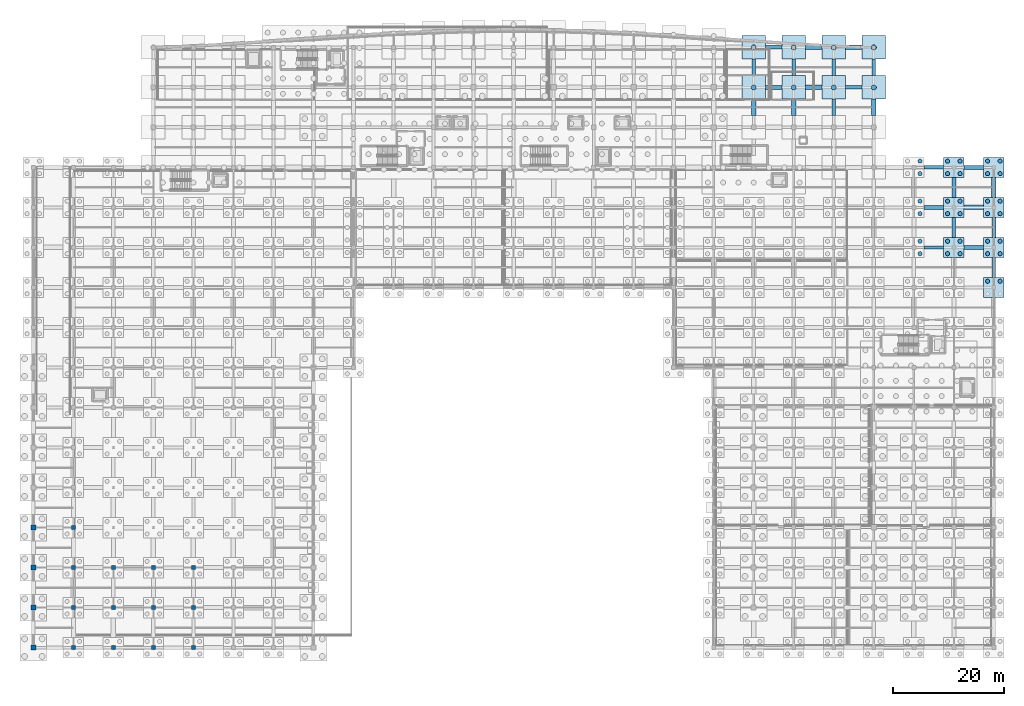
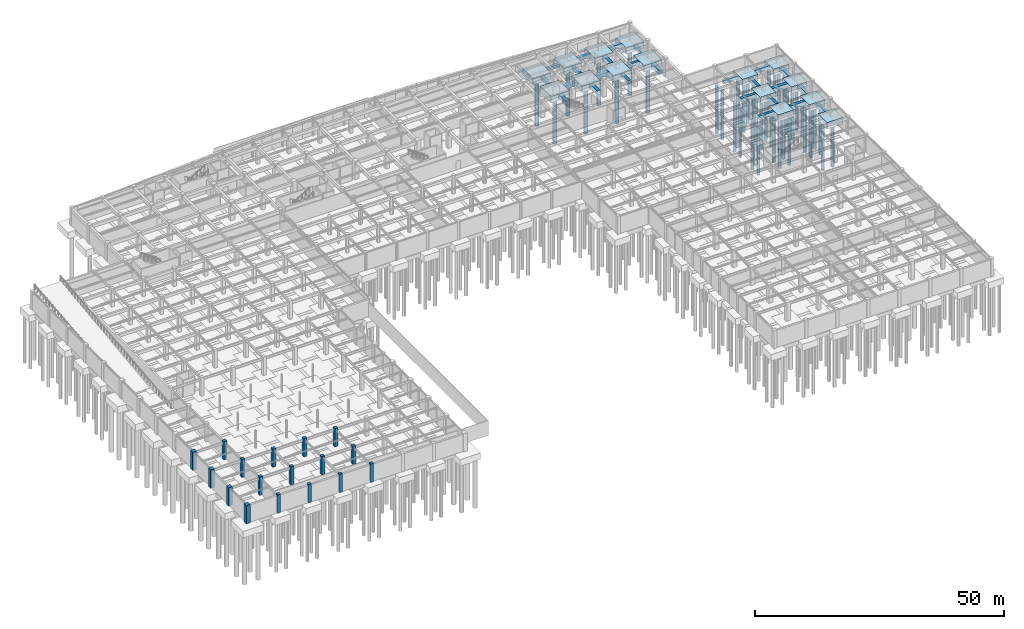
# One storey, part 12 of 48: 40 footings, 40 piles, 17 columns.
"""IFC4 building model written with IfcOpenShell, lengths in metres."""

from ifc_helpers import new_model, si_unit, direction, frame, origin, origin_2d, place, context, subcontext, project, spatial, rectangle, circle, extrude, material, material_profile, profile_set, type_object, element, save


model = new_model("IFC4")

# Units and contexts
model_context = context("Model", 3, precision=1e-05, world=origin(), true_north=direction((0.0, 1.0)))
body_context = subcontext(model_context, "Body", "Model", "MODEL_VIEW")
ifc_project = project(units=[si_unit("LENGTHUNIT", "METRE"), si_unit("AREAUNIT", "SQUARE_METRE"), si_unit("VOLUMEUNIT", "CUBIC_METRE"), si_unit("PLANEANGLEUNIT", "RADIAN"), si_unit("MASSUNIT", "GRAM", prefix="KILO")], contexts=[model_context])

# Site, building, storey
site_placement = place(None, origin())
site = spatial("IfcSite", under=ifc_project, at=site_placement, CompositionType="ELEMENT")
building_placement = place(site_placement, origin())
building = spatial("IfcBuilding", under=site, at=building_placement, Name="Carrowvane Square Congress Hotel", CompositionType="ELEMENT")
storey_placement = place(building_placement, frame((0.0, 0.0, -4.5)))
storey = spatial("IfcBuildingStorey", under=building, at=storey_placement, Name="B01", CompositionType="ELEMENT", Elevation=-4.5)

# Footings
ifc_material_1 = material(Name="Concrete C35/45", Category="concrete")
ifc_material_profile_1 = material_profile(ifc_material_1, rectangle(XDim=0.60009765625, YDim=0.800048828125, at=origin_2d()), Name="RC 600x800")
ifc_profile_set_1 = profile_set([ifc_material_profile_1], Name="Concrete C35/45")
footing_type_1 = type_object("IfcFootingType", Name="FTG-BM-600x800", PredefinedType="FOOTING_BEAM", material=ifc_profile_set_1)
for number, where, z_axis, x_axis, name in (
    (1, (141.199951171875, 108.300048828125, -0.39990234375), (0.0, 1.0, 0.0), (-1.0, 0.0, 0.0), "Ground tie beam 169"),
    (2, (148.39990234375, 108.300048828125, -0.39990234375), (0.0, 1.0, 0.0), (-1.0, 0.0, 0.0), "Ground tie beam 183"),
    (3, (155.60009765625, 101.10009765625, -0.39990234375), (0.0, 1.0, 0.0), (-1.0, 0.0, 0.0), "Ground tie beam 197"),
    (4, (162.800048828125, 108.300048828125, -0.39990234375), (0.0, 1.0, 0.0), (-1.0, 0.0, 0.0), "Ground tie beam 211"),
):
    element("IfcFooting", number, at=place(storey_placement, frame(where, z_axis=z_axis, x_axis=x_axis)), inside=storey, type_object=footing_type_1, Name=name, PredefinedType="FOOTING_BEAM", context=body_context, shape_type="SweptSolid", body=[
        extrude(rectangle(XDim=0.60009765625, YDim=0.800048828125, at=origin_2d()), origin(), (0.0, 0.0, 1.0), 3.0),
    ])
footing_1_placement = place(storey_placement, frame((177.199951171875, 79.22509765625, -0.39990234375), z_axis=(0.0, 1.0, 0.0), x_axis=(-1.0, 0.0, 0.0)))
element("IfcFooting", 5, at=footing_1_placement, inside=storey, type_object=footing_type_1, Name="Ground tie beam 230", PredefinedType="FOOTING_BEAM", context=body_context, shape_type="SweptSolid", body=[
    extrude(rectangle(XDim=0.60009765625, YDim=0.800048828125, at=origin_2d()), origin(), (0.0, 0.0, 1.0), 3.5498046875),
])
for number, where, z_axis, x_axis, name in (
    (6, (184.39990234375, 72.02490234375, -0.39990234375), (0.0, 1.0, 0.0), (-1.0, 0.0, 0.0), "Ground tie beam 241"),
    (7, (171.824951171875, 77.39990234375, -0.39990234375), (1.0, 0.0, 0.0), (0.0, 1.0, 0.0), "Ground tie beam 414"),
    (8, (171.824951171875, 91.800048828125, -0.39990234375), (1.0, 0.0, 0.0), (0.0, 1.0, 0.0), "Ground tie beam 451"),
):
    element("IfcFooting", number, at=place(storey_placement, frame(where, z_axis=z_axis, x_axis=x_axis)), inside=storey, type_object=footing_type_1, Name=name, PredefinedType="FOOTING_BEAM", context=body_context, shape_type="SweptSolid", body=[
        extrude(rectangle(XDim=0.60009765625, YDim=0.800048828125, at=origin_2d()), origin(), (0.0, 0.0, 1.0), 3.550048828125),
    ])
for number, where, z_axis, x_axis, name in (
    (9, (157.699951171875, 106.199951171875, -0.39990234375), (1.0, 0.0, 0.0), (0.0, 1.0, 0.0), "Ground tie beam 479"),
    (10, (143.300048828125, 113.39990234375, -0.39990234375), (1.0, 0.0, 0.0), (0.0, 1.0, 0.0), "Ground tie beam 493"),
):
    element("IfcFooting", number, at=place(storey_placement, frame(where, z_axis=z_axis, x_axis=x_axis)), inside=storey, type_object=footing_type_1, Name=name, PredefinedType="FOOTING_BEAM", context=body_context, shape_type="SweptSolid", body=[
        extrude(rectangle(XDim=0.60009765625, YDim=0.800048828125, at=origin_2d()), origin(), (0.0, 0.0, 1.0), 3.0),
    ])
ifc_material_2 = material(Name="Concrete C35/45", Category="concrete")
ifc_material_profile_2 = material_profile(ifc_material_2, rectangle(XDim=0.699951171875, YDim=0.89990234375, at=origin_2d()), Name="RC 700x900")
ifc_profile_set_2 = profile_set([ifc_material_profile_2], Name="Concrete C35/45")
footing_type_2 = type_object("IfcFootingType", Name="FTG-BM-700x900", PredefinedType="FOOTING_BEAM", material=ifc_profile_set_2)
footing_2_placement = place(storey_placement, frame((155.60009765625, 108.300048828125, -0.449951171875), z_axis=(0.0, 1.0, 0.0), x_axis=(-1.0, 0.0, 0.0)))
element("IfcFooting", 11, at=footing_2_placement, inside=storey, type_object=footing_type_2, Name="Ground tie beam 198", PredefinedType="FOOTING_BEAM", context=body_context, shape_type="SweptSolid", body=[
    extrude(rectangle(XDim=0.699951171875, YDim=0.89990234375, at=origin_2d()), origin(), (0.0, 0.0, 1.0), 3.0),
])
footing_3_placement = place(storey_placement, frame((177.199951171875, 86.425048828125, -0.449951171875), z_axis=(0.0, 1.0, 0.0), x_axis=(-1.0, 0.0, 0.0)))
element("IfcFooting", 12, at=footing_3_placement, inside=storey, type_object=footing_type_2, Name="Ground tie beam 231", PredefinedType="FOOTING_BEAM", context=body_context, shape_type="SweptSolid", body=[
    extrude(rectangle(XDim=0.699951171875, YDim=0.89990234375, at=origin_2d()), origin(), (0.0, 0.0, 1.0), 3.550048828125),
])
footing_4_placement = place(storey_placement, frame((184.39990234375, 79.22509765625, -0.449951171875), z_axis=(0.0, 1.0, 0.0), x_axis=(-1.0, 0.0, 0.0)))
element("IfcFooting", 13, at=footing_4_placement, inside=storey, type_object=footing_type_2, Name="Ground tie beam 242", PredefinedType="FOOTING_BEAM", context=body_context, shape_type="SweptSolid", body=[
    extrude(rectangle(XDim=0.699951171875, YDim=0.89990234375, at=origin_2d()), origin(), (0.0, 0.0, 1.0), 3.5498046875),
])
for number, where, z_axis, x_axis, name in (
    (14, (179.02490234375, 77.39990234375, -0.449951171875), (1.0, 0.0, 0.0), (0.0, 1.0, 0.0), "Ground tie beam 415"),
    (15, (171.824951171875, 84.60009765625, -0.449951171875), (1.0, 0.0, 0.0), (0.0, 1.0, 0.0), "Ground tie beam 438"),
    (16, (179.02490234375, 91.800048828125, -0.449951171875), (1.0, 0.0, 0.0), (0.0, 1.0, 0.0), "Ground tie beam 452"),
):
    element("IfcFooting", number, at=place(storey_placement, frame(where, z_axis=z_axis, x_axis=x_axis)), inside=storey, type_object=footing_type_2, Name=name, PredefinedType="FOOTING_BEAM", context=body_context, shape_type="SweptSolid", body=[
        extrude(rectangle(XDim=0.699951171875, YDim=0.89990234375, at=origin_2d()), origin(), (0.0, 0.0, 1.0), 3.550048828125),
    ])
for number, where, z_axis, x_axis, name in (
    (17, (143.300048828125, 106.199951171875, -0.449951171875), (1.0, 0.0, 0.0), (0.0, 1.0, 0.0), "Ground tie beam 477"),
    (18, (150.5, 113.39990234375, -0.449951171875), (1.0, 0.0, 0.0), (0.0, 1.0, 0.0), "Ground tie beam 494"),
):
    element("IfcFooting", number, at=place(storey_placement, frame(where, z_axis=z_axis, x_axis=x_axis)), inside=storey, type_object=footing_type_2, Name=name, PredefinedType="FOOTING_BEAM", context=body_context, shape_type="SweptSolid", body=[
        extrude(rectangle(XDim=0.699951171875, YDim=0.89990234375, at=origin_2d()), origin(), (0.0, 0.0, 1.0), 3.0),
    ])
ifc_material_3 = material(Name="Concrete C35/45", Category="concrete")
ifc_material_profile_3 = material_profile(ifc_material_3, rectangle(XDim=0.800048828125, YDim=1.0, at=origin_2d()), Name="RC 800x1000")
ifc_profile_set_3 = profile_set([ifc_material_profile_3], Name="Concrete C35/45")
footing_type_3 = type_object("IfcFootingType", Name="FTG-BM-800x1000", PredefinedType="FOOTING_BEAM", material=ifc_profile_set_3)
for number, where, z_axis, x_axis, name in (
    (19, (141.199951171875, 101.10009765625, -0.5), (0.0, 1.0, 0.0), (-1.0, 0.0, 0.0), "Ground tie beam 168"),
    (20, (148.39990234375, 101.10009765625, -0.5), (0.0, 1.0, 0.0), (-1.0, 0.0, 0.0), "Ground tie beam 182"),
    (21, (162.800048828125, 101.10009765625, -0.5), (0.0, 1.0, 0.0), (-1.0, 0.0, 0.0), "Ground tie beam 210"),
):
    element("IfcFooting", number, at=place(storey_placement, frame(where, z_axis=z_axis, x_axis=x_axis)), inside=storey, type_object=footing_type_3, Name=name, PredefinedType="FOOTING_BEAM", context=body_context, shape_type="SweptSolid", body=[
        extrude(rectangle(XDim=0.800048828125, YDim=1.0, at=origin_2d()), origin(), (0.0, 0.0, 1.0), 3.0),
    ])
for number, where, z_axis, x_axis, name in (
    (22, (184.39990234375, 86.425048828125, -0.5), (0.0, 1.0, 0.0), (-1.0, 0.0, 0.0), "Ground tie beam 243"),
    (23, (179.02490234375, 84.60009765625, -0.5), (1.0, 0.0, 0.0), (0.0, 1.0, 0.0), "Ground tie beam 439"),
):
    element("IfcFooting", number, at=place(storey_placement, frame(where, z_axis=z_axis, x_axis=x_axis)), inside=storey, type_object=footing_type_3, Name=name, PredefinedType="FOOTING_BEAM", context=body_context, shape_type="SweptSolid", body=[
        extrude(rectangle(XDim=0.800048828125, YDim=1.0, at=origin_2d()), origin(), (0.0, 0.0, 1.0), 3.550048828125),
    ])
for number, where, z_axis, x_axis, name in (
    (24, (150.5, 106.199951171875, -0.5), (1.0, 0.0, 0.0), (0.0, 1.0, 0.0), "Ground tie beam 478"),
    (25, (157.699951171875, 113.39990234375, -0.5), (1.0, 0.0, 0.0), (0.0, 1.0, 0.0), "Ground tie beam 495"),
):
    element("IfcFooting", number, at=place(storey_placement, frame(where, z_axis=z_axis, x_axis=x_axis)), inside=storey, type_object=footing_type_3, Name=name, PredefinedType="FOOTING_BEAM", context=body_context, shape_type="SweptSolid", body=[
        extrude(rectangle(XDim=0.800048828125, YDim=1.0, at=origin_2d()), origin(), (0.0, 0.0, 1.0), 3.0),
    ])
ifc_material_4 = material(Name="Concrete C35/45", Category="concrete")
footing_type_4 = type_object("IfcFootingType", Name="FTG-PC-02", PredefinedType="PILE_CAP", material=ifc_material_4)
for number, where, z_axis, x_axis, name in (
    (26, (184.39990234375, 70.199951171875, -1.60009765625), (0.0, 0.0, 1.0), (1.0, 0.0, 0.0), "B01 PC-2 168"),
    (27, (177.199951171875, 77.39990234375, -1.60009765625), (0.0, 0.0, 1.0), (1.0, 0.0, 0.0), "B01 PC-2 192"),
    (28, (184.39990234375, 77.39990234375, -1.60009765625), (0.0, 0.0, 1.0), (1.0, 0.0, 0.0), "B01 PC-2 193"),
    (29, (177.199951171875, 84.60009765625, -1.60009765625), (0.0, 0.0, 1.0), (1.0, 0.0, 0.0), "B01 PC-2 213"),
    (30, (184.39990234375, 84.60009765625, -1.60009765625), (0.0, 0.0, 1.0), (1.0, 0.0, 0.0), "B01 PC-2 214"),
    (31, (177.199951171875, 91.800048828125, -1.60009765625), (0.0, 0.0, 1.0), (1.0, 0.0, 0.0), "B01 PC-2 228"),
    (32, (184.39990234375, 91.800048828125, -1.60009765625), (0.0, 0.0, 1.0), (1.0, 0.0, 0.0), "B01 PC-2 229"),
):
    element("IfcFooting", number, at=place(storey_placement, frame(where, z_axis=z_axis, x_axis=x_axis)), inside=storey, type_object=footing_type_4, Name=name, PredefinedType="PILE_CAP", context=body_context, shape_type="SweptSolid", body=[
        extrude(rectangle(XDim=3.64990234375, YDim=3.64990234375, at=origin_2d()), origin(), (0.0, 0.0, 1.0), 1.60009765625),
    ])
ifc_material_5 = material(Name="Concrete C35/45", Category="concrete")
footing_type_5 = type_object("IfcFootingType", Name="FTG-PC-04", PredefinedType="PILE_CAP", material=ifc_material_5)
for number, where, z_axis, x_axis, name in (
    (33, (141.199951171875, 106.199951171875, -1.60009765625), (0.0, 0.0, 1.0), (1.0, 0.0, 0.0), "B01 PC-4 254"),
    (34, (148.39990234375, 106.199951171875, -1.60009765625), (0.0, 0.0, 1.0), (1.0, 0.0, 0.0), "B01 PC-4 255"),
    (35, (155.60009765625, 106.199951171875, -1.60009765625), (0.0, 0.0, 1.0), (1.0, 0.0, 0.0), "B01 PC-4 256"),
    (36, (162.800048828125, 106.199951171875, -1.60009765625), (0.0, 0.0, 1.0), (1.0, 0.0, 0.0), "B01 PC-4 257"),
    (37, (141.199951171875, 113.39990234375, -1.60009765625), (0.0, 0.0, 1.0), (1.0, 0.0, 0.0), "B01 PC-4 270"),
    (38, (148.39990234375, 113.39990234375, -1.60009765625), (0.0, 0.0, 1.0), (1.0, 0.0, 0.0), "B01 PC-4 271"),
    (39, (155.60009765625, 113.39990234375, -1.60009765625), (0.0, 0.0, 1.0), (1.0, 0.0, 0.0), "B01 PC-4 272"),
    (40, (162.800048828125, 113.39990234375, -1.60009765625), (0.0, 0.0, 1.0), (1.0, 0.0, 0.0), "B01 PC-4 273"),
):
    element("IfcFooting", number, at=place(storey_placement, frame(where, z_axis=z_axis, x_axis=x_axis)), inside=storey, type_object=footing_type_5, Name=name, PredefinedType="PILE_CAP", context=body_context, shape_type="SweptSolid", body=[
        extrude(rectangle(XDim=4.199951171875, YDim=4.199951171875, at=origin_2d()), origin(), (0.0, 0.0, 1.0), 1.60009765625),
    ])

# Piles
ifc_material_6 = material(Name="Concrete C35/45", Category="concrete")
ifc_material_profile_4 = material_profile(ifc_material_6, circle(Radius=0.375, at=origin_2d()), Name="PILE D750")
ifc_profile_set_4 = profile_set([ifc_material_profile_4], Name="Concrete C35/45")
pile_type_1 = type_object("IfcPileType", Name="PILE-B-750", PredefinedType="BORED", material=ifc_profile_set_4)
for number, where, z_axis, x_axis, name in (
    (41, (183.27490234375, 71.324951171875, -1.5), (0.0, 0.0, -1.0), (1.0, 0.0, 0.0), "Bored pile P-1-0706"),
    (42, (185.52490234375, 71.324951171875, -1.5), (0.0, 0.0, -1.0), (1.0, 0.0, 0.0), "Bored pile P-1-0708"),
    (43, (171.125, 76.27490234375, -1.5), (0.0, 0.0, -1.0), (1.0, 0.0, 0.0), "Bored pile P-1-0823"),
    (44, (171.125, 78.52490234375, -1.5), (0.0, 0.0, -1.0), (1.0, 0.0, 0.0), "Bored pile P-1-0824"),
    (45, (176.074951171875, 76.27490234375, -1.5), (0.0, 0.0, -1.0), (1.0, 0.0, 0.0), "Bored pile P-1-0825"),
    (46, (176.074951171875, 78.52490234375, -1.5), (0.0, 0.0, -1.0), (1.0, 0.0, 0.0), "Bored pile P-1-0826"),
    (47, (178.324951171875, 76.27490234375, -1.5), (0.0, 0.0, -1.0), (1.0, 0.0, 0.0), "Bored pile P-1-0827"),
    (48, (178.324951171875, 78.52490234375, -1.5), (0.0, 0.0, -1.0), (1.0, 0.0, 0.0), "Bored pile P-1-0828"),
    (49, (183.27490234375, 76.27490234375, -1.5), (0.0, 0.0, -1.0), (1.0, 0.0, 0.0), "Bored pile P-1-0829"),
    (50, (183.27490234375, 78.52490234375, -1.5), (0.0, 0.0, -1.0), (1.0, 0.0, 0.0), "Bored pile P-1-0830"),
    (51, (185.52490234375, 76.27490234375, -1.5), (0.0, 0.0, -1.0), (1.0, 0.0, 0.0), "Bored pile P-1-0831"),
    (52, (185.52490234375, 78.52490234375, -1.5), (0.0, 0.0, -1.0), (1.0, 0.0, 0.0), "Bored pile P-1-0832"),
    (53, (171.125, 83.47509765625, -1.5), (0.0, 0.0, -1.0), (1.0, 0.0, 0.0), "Bored pile P-1-0907"),
    (54, (171.125, 85.72509765625, -1.5), (0.0, 0.0, -1.0), (1.0, 0.0, 0.0), "Bored pile P-1-0908"),
    (55, (176.074951171875, 83.47509765625, -1.5), (0.0, 0.0, -1.0), (1.0, 0.0, 0.0), "Bored pile P-1-0909"),
    (56, (176.074951171875, 85.72509765625, -1.5), (0.0, 0.0, -1.0), (1.0, 0.0, 0.0), "Bored pile P-1-0910"),
    (57, (178.324951171875, 83.47509765625, -1.5), (0.0, 0.0, -1.0), (1.0, 0.0, 0.0), "Bored pile P-1-0911"),
    (58, (178.324951171875, 85.72509765625, -1.5), (0.0, 0.0, -1.0), (1.0, 0.0, 0.0), "Bored pile P-1-0912"),
    (59, (183.27490234375, 83.47509765625, -1.5), (0.0, 0.0, -1.0), (1.0, 0.0, 0.0), "Bored pile P-1-0913"),
    (60, (183.27490234375, 85.72509765625, -1.5), (0.0, 0.0, -1.0), (1.0, 0.0, 0.0), "Bored pile P-1-0914"),
    (61, (185.52490234375, 83.47509765625, -1.5), (0.0, 0.0, -1.0), (1.0, 0.0, 0.0), "Bored pile P-1-0915"),
    (62, (185.52490234375, 85.72509765625, -1.5), (0.0, 0.0, -1.0), (1.0, 0.0, 0.0), "Bored pile P-1-0916"),
    (63, (171.125, 90.675048828125, -1.5), (0.0, 0.0, -1.0), (1.0, 0.0, 0.0), "Bored pile P-1-1040"),
    (64, (171.125, 92.925048828125, -1.5), (0.0, 0.0, -1.0), (1.0, 0.0, 0.0), "Bored pile P-1-1041"),
    (65, (176.074951171875, 90.675048828125, -1.5), (0.0, 0.0, -1.0), (1.0, 0.0, 0.0), "Bored pile P-1-1042"),
    (66, (176.074951171875, 92.925048828125, -1.5), (0.0, 0.0, -1.0), (1.0, 0.0, 0.0), "Bored pile P-1-1043"),
    (67, (178.324951171875, 90.675048828125, -1.5), (0.0, 0.0, -1.0), (1.0, 0.0, 0.0), "Bored pile P-1-1044"),
    (68, (178.324951171875, 92.925048828125, -1.5), (0.0, 0.0, -1.0), (1.0, 0.0, 0.0), "Bored pile P-1-1045"),
    (69, (183.27490234375, 90.675048828125, -1.5), (0.0, 0.0, -1.0), (1.0, 0.0, 0.0), "Bored pile P-1-1046"),
    (70, (183.27490234375, 92.925048828125, -1.5), (0.0, 0.0, -1.0), (1.0, 0.0, 0.0), "Bored pile P-1-1047"),
    (71, (185.52490234375, 90.675048828125, -1.5), (0.0, 0.0, -1.0), (1.0, 0.0, 0.0), "Bored pile P-1-1048"),
    (72, (185.52490234375, 92.925048828125, -1.5), (0.0, 0.0, -1.0), (1.0, 0.0, 0.0), "Bored pile P-1-1049"),
):
    element("IfcPile", number, at=place(storey_placement, frame(where, z_axis=z_axis, x_axis=x_axis)), inside=storey, type_object=pile_type_1, Name=name, PredefinedType="BORED", context=body_context, shape_type="SweptSolid", body=[
        extrude(circle(Radius=0.375, at=origin_2d()), origin(), (0.0, 0.0, 1.0), 12.0),
    ])
ifc_material_7 = material(Name="Concrete C35/45", Category="concrete")
ifc_material_profile_5 = material_profile(ifc_material_7, circle(Radius=0.449951171875, at=origin_2d()), Name="PILE D900")
ifc_profile_set_5 = profile_set([ifc_material_profile_5], Name="Concrete C35/45")
pile_type_2 = type_object("IfcPileType", Name="PILE-B-900", PredefinedType="BORED", material=ifc_profile_set_5)
for number, where, z_axis, x_axis, name in (
    (73, (141.199951171875, 106.199951171875, -1.5), (0.0, 0.0, -1.0), (1.0, 0.0, 0.0), "Bored pile P-2-1129"),
    (74, (148.39990234375, 106.199951171875, -1.5), (0.0, 0.0, -1.0), (1.0, 0.0, 0.0), "Bored pile P-2-1130"),
    (75, (155.60009765625, 106.199951171875, -1.5), (0.0, 0.0, -1.0), (1.0, 0.0, 0.0), "Bored pile P-2-1131"),
    (76, (162.800048828125, 106.199951171875, -1.5), (0.0, 0.0, -1.0), (1.0, 0.0, 0.0), "Bored pile P-2-1132"),
    (77, (141.199951171875, 113.39990234375, -1.5), (0.0, 0.0, -1.0), (1.0, 0.0, 0.0), "Bored pile P-2-1155"),
    (78, (148.39990234375, 113.39990234375, -1.5), (0.0, 0.0, -1.0), (1.0, 0.0, 0.0), "Bored pile P-2-1156"),
    (79, (155.60009765625, 113.39990234375, -1.5), (0.0, 0.0, -1.0), (1.0, 0.0, 0.0), "Bored pile P-2-1157"),
    (80, (162.800048828125, 113.39990234375, -1.5), (0.0, 0.0, -1.0), (1.0, 0.0, 0.0), "Bored pile P-2-1158"),
):
    element("IfcPile", number, at=place(storey_placement, frame(where, z_axis=z_axis, x_axis=x_axis)), inside=storey, type_object=pile_type_2, Name=name, PredefinedType="BORED", context=body_context, shape_type="SweptSolid", body=[
        extrude(circle(Radius=0.449951171875, at=origin_2d()), origin(), (0.0, 0.0, 1.0), 12.0),
    ])

# Columns
ifc_material_8 = material(Name="Concrete C40/50", Category="concrete")
ifc_material_profile_6 = material_profile(ifc_material_8, rectangle(XDim=0.699951171875, YDim=0.699951171875, at=origin_2d()), Name="RC 700x700")
ifc_profile_set_6 = profile_set([ifc_material_profile_6], Name="Concrete C40/50")
column_type_1 = type_object("IfcColumnType", Name="COL-RC-700", PredefinedType="COLUMN", material=ifc_profile_set_6)
for number, where, z_axis, x_axis, name in (
    (81, (18.800048828125, 5.39990234375, 0.0), (0.0, 0.0, 1.0), (1.0, 0.0, 0.0), "B01 column 2/A"),
    (82, (18.800048828125, 12.60009765625, 0.0), (0.0, 0.0, 1.0), (1.0, 0.0, 0.0), "B01 column 2/B"),
    (83, (18.800048828125, 19.800048828125, 0.0), (0.0, 0.0, 1.0), (1.0, 0.0, 0.0), "B01 column 2/C"),
    (84, (18.800048828125, 27.0, 0.0), (0.0, 0.0, 1.0), (1.0, 0.0, 0.0), "B01 column 2/D"),
    (85, (26.0, 5.39990234375, 0.0), (0.0, 0.0, 1.0), (1.0, 0.0, 0.0), "B01 column 3/A"),
    (86, (26.0, 12.60009765625, 0.0), (0.0, 0.0, 1.0), (1.0, 0.0, 0.0), "B01 column 3/B"),
    (87, (26.0, 19.800048828125, 0.0), (0.0, 0.0, 1.0), (1.0, 0.0, 0.0), "B01 column 3/C"),
    (88, (33.199951171875, 5.39990234375, 0.0), (0.0, 0.0, 1.0), (1.0, 0.0, 0.0), "B01 column 4/A"),
    (89, (33.199951171875, 12.60009765625, 0.0), (0.0, 0.0, 1.0), (1.0, 0.0, 0.0), "B01 column 4/B"),
    (90, (33.199951171875, 19.800048828125, 0.0), (0.0, 0.0, 1.0), (1.0, 0.0, 0.0), "B01 column 4/C"),
    (91, (40.39990234375, 5.39990234375, 0.0), (0.0, 0.0, 1.0), (1.0, 0.0, 0.0), "B01 column 5/A"),
    (92, (40.39990234375, 12.60009765625, 0.0), (0.0, 0.0, 1.0), (1.0, 0.0, 0.0), "B01 column 5/B"),
    (93, (40.39990234375, 19.800048828125, 0.0), (0.0, 0.0, 1.0), (1.0, 0.0, 0.0), "B01 column 5/C"),
):
    element("IfcColumn", number, at=place(storey_placement, frame(where, z_axis=z_axis, x_axis=x_axis)), inside=storey, type_object=column_type_1, Name=name, PredefinedType="COLUMN", context=body_context, shape_type="SweptSolid", body=[
        extrude(rectangle(XDim=0.699951171875, YDim=0.699951171875, at=origin_2d()), origin(), (0.0, 0.0, 1.0), 4.5),
    ])
ifc_material_9 = material(Name="Concrete C40/50", Category="concrete")
ifc_material_profile_7 = material_profile(ifc_material_9, rectangle(XDim=0.89990234375, YDim=0.89990234375, at=origin_2d()), Name="RC 900x900")
ifc_profile_set_7 = profile_set([ifc_material_profile_7], Name="Concrete C40/50")
column_type_2 = type_object("IfcColumnType", Name="MCOL-RC-900", PredefinedType="COLUMN", material=ifc_profile_set_7)
for number, where, z_axis, x_axis, name in (
    (94, (11.60009765625, 5.39990234375, 0.0), (0.0, 0.0, 1.0), (1.0, 0.0, 0.0), "B01 column 1/A"),
    (95, (11.60009765625, 12.60009765625, 0.0), (0.0, 0.0, 1.0), (1.0, 0.0, 0.0), "B01 column 1/B"),
    (96, (11.60009765625, 19.800048828125, 0.0), (0.0, 0.0, 1.0), (1.0, 0.0, 0.0), "B01 column 1/C"),
    (97, (11.60009765625, 27.0, 0.0), (0.0, 0.0, 1.0), (1.0, 0.0, 0.0), "B01 column 1/D"),
):
    element("IfcColumn", number, at=place(storey_placement, frame(where, z_axis=z_axis, x_axis=x_axis)), inside=storey, type_object=column_type_2, Name=name, PredefinedType="COLUMN", context=body_context, shape_type="SweptSolid", body=[
        extrude(rectangle(XDim=0.89990234375, YDim=0.89990234375, at=origin_2d()), origin(), (0.0, 0.0, 1.0), 4.5),
    ])

save(model, "model.ifc")
